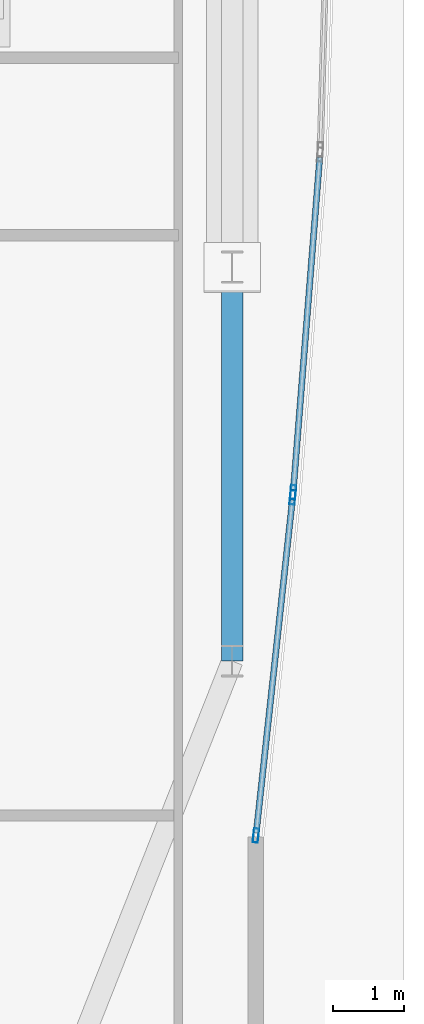
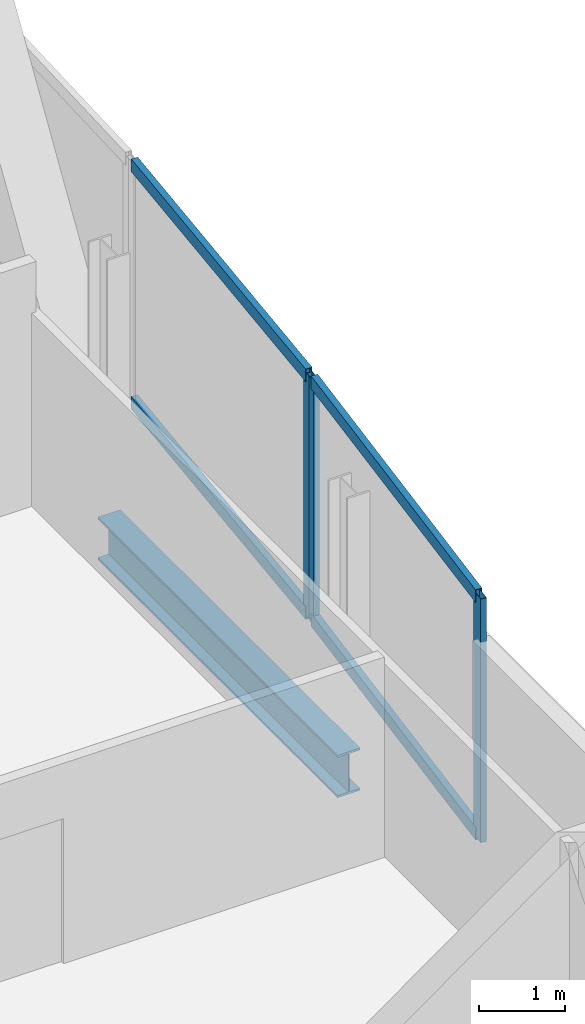
# One storey, part 16 of 32: 7 members, 1 beam, 2 elements without a shape of their own.
"""IFC4 building model written with IfcOpenShell, lengths in metres."""

from ifc_helpers import new_model, si_unit, direction, frame, origin, origin_2d, place, context, subcontext, project, spatial, hollow_rectangle, i_section, extrude, material, material_profile, profile_set, type_object, element, aggregate, save


model = new_model("IFC4")

# Units and contexts
model_context = context("Model", 3, precision=1e-05, world=origin(), true_north=direction((0.0, 1.0)))
body_context = subcontext(model_context, "Body", "Model", "MODEL_VIEW")
ifc_project = project(units=[si_unit("LENGTHUNIT", "METRE"), si_unit("AREAUNIT", "SQUARE_METRE"), si_unit("VOLUMEUNIT", "CUBIC_METRE"), si_unit("PLANEANGLEUNIT", "RADIAN"), si_unit("MASSUNIT", "GRAM", prefix="KILO")], contexts=[model_context])

# Site, building, storey
site_placement = place(None, origin())
site = spatial("IfcSite", under=ifc_project, at=site_placement, CompositionType="ELEMENT")
building_placement = place(site_placement, origin())
building = spatial("IfcBuilding", under=site, at=building_placement, Name="Khoronbel Lancet Exchange", CompositionType="ELEMENT")
storey_placement = place(building_placement, frame((0.0, 0.0, 188.60009765625)))
storey = spatial("IfcBuildingStorey", under=building, at=storey_placement, Name="L47", CompositionType="ELEMENT", Elevation=188.60009765625)

# Beam
ifc_material_1 = material(Name="Steel S355", Category="steel")
ifc_material_profile_1 = material_profile(ifc_material_1, i_section(OverallWidth=0.300048828125, OverallDepth=0.60009765625, WebThickness=0.015380859375, FlangeThickness=0.030029296875, at=origin_2d()), Name="HEB 600")
ifc_profile_set_1 = profile_set([ifc_material_profile_1], Name="Steel S355")
beam_type = type_object("IfcBeamType", Name="BM-BSP2", PredefinedType="SPANDREL", material=ifc_profile_set_1)
beam_placement = place(storey_placement, frame((65.6298828125, 19.199951171875, -0.460205078125), z_axis=(0.0, 1.0, 0.0), x_axis=(-1.0, 0.0, 0.0)))
element("IfcBeam", 1, at=beam_placement, inside=storey, type_object=beam_type, Name="Level L47 perimeter spandrel beam SP09", PredefinedType="SPANDREL", context=body_context, shape_type="SweptSolid", body=[
    extrude(i_section(OverallWidth=0.300048828125, OverallDepth=0.60009765625, WebThickness=0.015380859375, FlangeThickness=0.030029296875, at=origin_2d()), origin(), (0.0, 0.0, 1.0), 5.550048828125),
])

# Curtain wall, member
ifc_material_2 = material(Name="Low-E Solar Control Insulating Glass", Category="glass")
curtain_wall_type = type_object("IfcCurtainWallType", Name="CW-4", PredefinedType="NOTDEFINED", material=ifc_material_2)
curtain_wall_1_placement = place(storey_placement, origin())
curtain_wall_1 = element("IfcCurtainWall", 2, at=curtain_wall_1_placement, inside=storey, type_object=curtain_wall_type, Name="Unitised curtain wall CW-L47-E21", PredefinedType="NOTDEFINED")
ifc_material_3 = material(Name="Bronze-Anodised Aluminium 6063-T6", Category="aluminium")
ifc_material_profile_2 = material_profile(ifc_material_3, hollow_rectangle(XDim=0.074951171875, YDim=0.199951171875, WallThickness=0.0048828125, at=origin_2d()), Name="ALU MULLION 75x200")
ifc_profile_set_2 = profile_set([ifc_material_profile_2], Name="Bronze-Anodised Aluminium 6063-T6")
member_type_1 = type_object("IfcMemberType", Name="MEM-CWM2", PredefinedType="MULLION", material=ifc_profile_set_2)
member_1_placement = place(storey_placement, frame((66.48828125, 21.5791015625, 0.0), z_axis=(0.0, 0.0, 1.0), x_axis=(0.996854401909, -0.079254661653, 0.0)))
member_1 = element("IfcMember", 3, at=member_1_placement, type_object=member_type_1, Name="CW4 mullion 2", PredefinedType="MULLION", context=body_context, shape_type="SweptSolid", body=[
    extrude(hollow_rectangle(XDim=0.074951171875, YDim=0.199951171875, WallThickness=0.0048828125, at=origin_2d()), origin(), (0.0, 0.0, 1.0), 3.43994140625),
])

# Curtain wall, members
curtain_wall_2_placement = place(storey_placement, origin())
curtain_wall_2 = element("IfcCurtainWall", 4, at=curtain_wall_2_placement, inside=storey, type_object=curtain_wall_type, Name="Unitised curtain wall CW-L47-E22", PredefinedType="NOTDEFINED")
member_2_placement = place(storey_placement, frame((66.4814453125, 21.50439453125, 0.0), z_axis=(0.0, 0.0, 1.0), x_axis=(0.994151948799, -0.107990289834, 0.0)))
member_2 = element("IfcMember", 5, at=member_2_placement, type_object=member_type_1, Name="CW4 mullion 1", PredefinedType="MULLION", context=body_context, shape_type="SweptSolid", body=[
    extrude(hollow_rectangle(XDim=0.074951171875, YDim=0.199951171875, WallThickness=0.0048828125, at=origin_2d()), origin(), (0.0, 0.0, 1.0), 3.43994140625),
])
member_3_placement = place(storey_placement, frame((65.964111328125, 16.7421875, 0.0), z_axis=(0.0, 0.0, 1.0), x_axis=(0.994151948799, -0.107990289834, 0.0)))
member_3 = element("IfcMember", 6, at=member_3_placement, type_object=member_type_1, Name="CW4 mullion 2", PredefinedType="MULLION", context=body_context, shape_type="SweptSolid", body=[
    extrude(hollow_rectangle(XDim=0.074951171875, YDim=0.199951171875, WallThickness=0.0048828125, at=origin_2d()), origin(), (0.0, 0.0, 1.0), 3.43994140625),
])

# Member
ifc_material_profile_3 = material_profile(ifc_material_3, hollow_rectangle(XDim=0.0849609375, YDim=0.179931640625, WallThickness=0.0048828125, at=origin_2d()), Name="ALU TRANSOM 85x180")
ifc_profile_set_3 = profile_set([ifc_material_profile_3], Name="Bronze-Anodised Aluminium 6063-T6")
member_type_2 = type_object("IfcMemberType", Name="MEM-CWT1", PredefinedType="USERDEFINED", material=ifc_profile_set_3)
member_4_placement = place(storey_placement, frame((66.863525390625, 26.296875, 0.04248046875), z_axis=(-0.079245071744, -0.996855164306, 0.0), x_axis=(0.996855164306, -0.079245071744, 0.0)))
member_4 = element("IfcMember", 7, at=member_4_placement, type_object=member_type_2, Name="CW4 transom 1.1", ObjectType="TRANSOM", PredefinedType="USERDEFINED", context=body_context, shape_type="SweptSolid", body=[
    extrude(hollow_rectangle(XDim=0.0849609375, YDim=0.179931640625, WallThickness=0.0048828125, at=origin_2d()), origin(), (0.0, 0.0, 1.0), 4.695068359375),
])

member_5_placement = place(storey_placement, frame((66.863525390625, 26.296875, 3.3974609375), z_axis=(-0.079245071744, -0.996855164306, 0.0), x_axis=(0.996855164306, -0.079245071744, 0.0)))
member_5 = element("IfcMember", 8, at=member_5_placement, type_object=member_type_2, Name="CW4 transom 1.2", ObjectType="TRANSOM", PredefinedType="USERDEFINED", context=body_context, shape_type="SweptSolid", body=[
    extrude(hollow_rectangle(XDim=0.0849609375, YDim=0.179931640625, WallThickness=0.0048828125, at=origin_2d()), origin(), (0.0, 0.0, 1.0), 4.695068359375),
])

aggregate(curtain_wall_1, [member_1, member_4, member_5])

member_6_placement = place(storey_placement, frame((66.477294921875, 21.467041015625, 0.04248046875), z_axis=(-0.108010231569, -0.994149782415, 0.0), x_axis=(0.994149782415, -0.108010231569, 0.0)))
member_6 = element("IfcMember", 9, at=member_6_placement, type_object=member_type_2, Name="CW4 transom 1.1", ObjectType="TRANSOM", PredefinedType="USERDEFINED", context=body_context, shape_type="SweptSolid", body=[
    extrude(hollow_rectangle(XDim=0.0849609375, YDim=0.179931640625, WallThickness=0.0048828125, at=origin_2d()), origin(), (0.0, 0.0, 1.0), 4.715087890625),
])

member_7_placement = place(storey_placement, frame((66.477294921875, 21.467041015625, 3.3974609375), z_axis=(-0.108010231569, -0.994149782415, 0.0), x_axis=(0.994149782415, -0.108010231569, 0.0)))
member_7 = element("IfcMember", 10, at=member_7_placement, type_object=member_type_2, Name="CW4 transom 1.2", ObjectType="TRANSOM", PredefinedType="USERDEFINED", context=body_context, shape_type="SweptSolid", body=[
    extrude(hollow_rectangle(XDim=0.0849609375, YDim=0.179931640625, WallThickness=0.0048828125, at=origin_2d()), origin(), (0.0, 0.0, 1.0), 4.715087890625),
])

aggregate(curtain_wall_2, [member_2, member_3, member_6, member_7])

save(model, "model.ifc")
